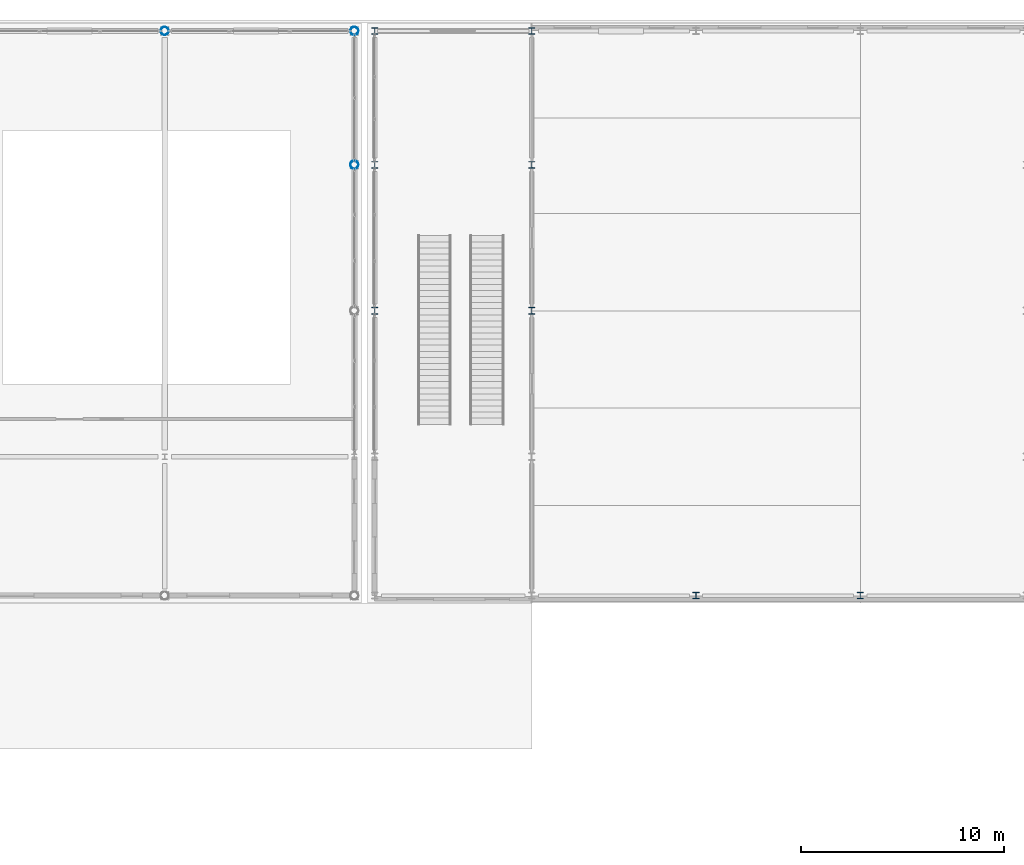
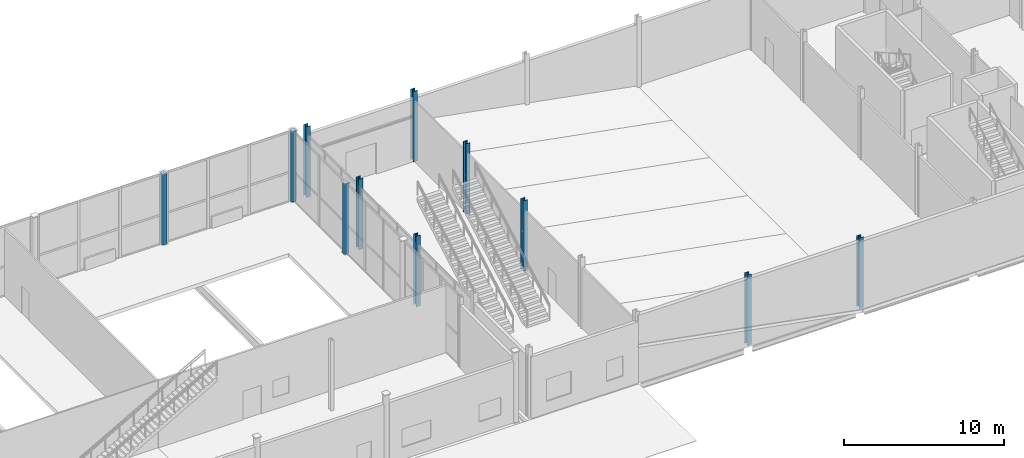
# One storey, part 10 of 83: 11 columns.
"""IFC4 building model written with IfcOpenShell, lengths in metres."""

from ifc_helpers import new_model, si_unit, direction, frame, origin, origin_2d, place, context, subcontext, project, spatial, hollow_circle, i_section, extrude, material, material_profile, profile_set, type_object, element, save


model = new_model("IFC4")

# Units and contexts
model_context = context("Model", 3, precision=1e-05, world=origin(), true_north=direction((0.0, 1.0)))
body_context = subcontext(model_context, "Body", "Model", "MODEL_VIEW")
ifc_project = project(units=[si_unit("LENGTHUNIT", "METRE"), si_unit("AREAUNIT", "SQUARE_METRE"), si_unit("VOLUMEUNIT", "CUBIC_METRE"), si_unit("PLANEANGLEUNIT", "RADIAN"), si_unit("MASSUNIT", "GRAM", prefix="KILO")], contexts=[model_context])

# Site, building, storey
site_placement = place(None, origin())
site = spatial("IfcSite", under=ifc_project, at=site_placement, CompositionType="ELEMENT")
building_placement = place(site_placement, origin())
building = spatial("IfcBuilding", under=site, at=building_placement, Name="Quillay Park Conservatory", CompositionType="ELEMENT")
storey_placement = place(building_placement, origin())
storey = spatial("IfcBuildingStorey", under=building, at=storey_placement, Name="L00", CompositionType="ELEMENT", Elevation=0.0)

# Columns
ifc_material_1 = material(Name="Steel S355J2H", Category="steel")
ifc_material_profile_1 = material_profile(ifc_material_1, hollow_circle(Radius=0.203125, WallThickness=0.01611328125, at=origin_2d()), Name="CHS406.4x16")
ifc_profile_set_1 = profile_set([ifc_material_profile_1], Name="Steel S355J2H")
column_type_1 = type_object("IfcColumnType", Name="COMPOSITE STEEL COLUMN CHS406", PredefinedType="COLUMN", material=ifc_profile_set_1)
for number, where, z_axis, x_axis, name in (
    (1, (105.494384765625, 113.39990234375, 0.0), (0.0, 0.0, 1.0), (1.0, 0.0, 0.0), "L00 column COL-V1-L00-8-1"),
    (2, (114.85009765625, 113.39990234375, 0.0), (0.0, 0.0, 1.0), (1.0, 0.0, 0.0), "L00 column COL-V1-L00-9-1"),
    (3, (114.85009765625, 106.800048828125, 0.0), (0.0, 0.0, 1.0), (1.0, 0.0, 0.0), "L00 column COL-V1E-L00-E-1"),
):
    element("IfcColumn", number, at=place(storey_placement, frame(where, z_axis=z_axis, x_axis=x_axis)), inside=storey, type_object=column_type_1, Name=name, PredefinedType="COLUMN", context=body_context, shape_type="SweptSolid", body=[
        extrude(hollow_circle(Radius=0.203125, WallThickness=0.01611328125, at=origin_2d()), origin(), (0.0, 0.0, 1.0), 5.39990234375),
    ])
ifc_material_2 = material(Name="Steel ASTM A992 Grade 50", Category="steel")
ifc_material_profile_2 = material_profile(ifc_material_2, i_section(OverallWidth=0.30908203125, OverallDepth=0.322998046875, WebThickness=0.013916015625, FlangeThickness=0.02294921875, FilletRadius=0.014892578125, at=origin_2d()), Name="W310x143")
ifc_profile_set_2 = profile_set([ifc_material_profile_2], Name="Steel ASTM A992 Grade 50")
column_type_2 = type_object("IfcColumnType", Name="COMPOSITE STEEL COLUMN W310 X143", PredefinedType="COLUMN", material=ifc_profile_set_2)
for number, where, z_axis, x_axis, name in (
    (4, (115.85009765625, 99.60009765625, 0.0), (0.0, 0.0, 1.0), (1.0, 0.0, 0.0), "L00 column COL-V2-L00-0-2"),
    (5, (115.85009765625, 106.800048828125, 0.0), (0.0, 0.0, 1.0), (1.0, 0.0, 0.0), "L00 column COL-V2-L00-0-3"),
    (6, (115.85009765625, 113.39990234375, 0.0), (0.0, 0.0, 1.0), (1.0, 0.0, 0.0), "L00 column COL-V2-L00-0-4"),
    (7, (123.60009765625, 99.60009765625, 0.0), (0.0, 0.0, 1.0), (1.0, 0.0, 0.0), "L00 column COL-V2-L00-1-2"),
    (8, (123.60009765625, 106.800048828125, 0.0), (0.0, 0.0, 1.0), (1.0, 0.0, 0.0), "L00 column COL-V2-L00-1-3"),
    (9, (123.60009765625, 113.39990234375, 0.0), (0.0, 0.0, 1.0), (1.0, 0.0, 0.0), "L00 column COL-V2-L00-1-4"),
    (10, (131.699951171875, 85.550048828125, 0.0), (0.0, 0.0, 1.0), (1.0, 0.0, 0.0), "L00 column COL-V2-L00-2-0"),
    (11, (139.800048828125, 85.550048828125, 0.0), (0.0, 0.0, 1.0), (1.0, 0.0, 0.0), "L00 column COL-V2-L00-3-0"),
):
    element("IfcColumn", number, at=place(storey_placement, frame(where, z_axis=z_axis, x_axis=x_axis)), inside=storey, type_object=column_type_2, Name=name, PredefinedType="COLUMN", context=body_context, shape_type="SweptSolid", body=[
        extrude(i_section(OverallWidth=0.30908203125, OverallDepth=0.322998046875, WebThickness=0.013916015625, FlangeThickness=0.02294921875, FilletRadius=0.014892578125, at=origin_2d()), origin(), (0.0, 0.0, 1.0), 5.39990234375),
    ])

save(model, "model.ifc")
